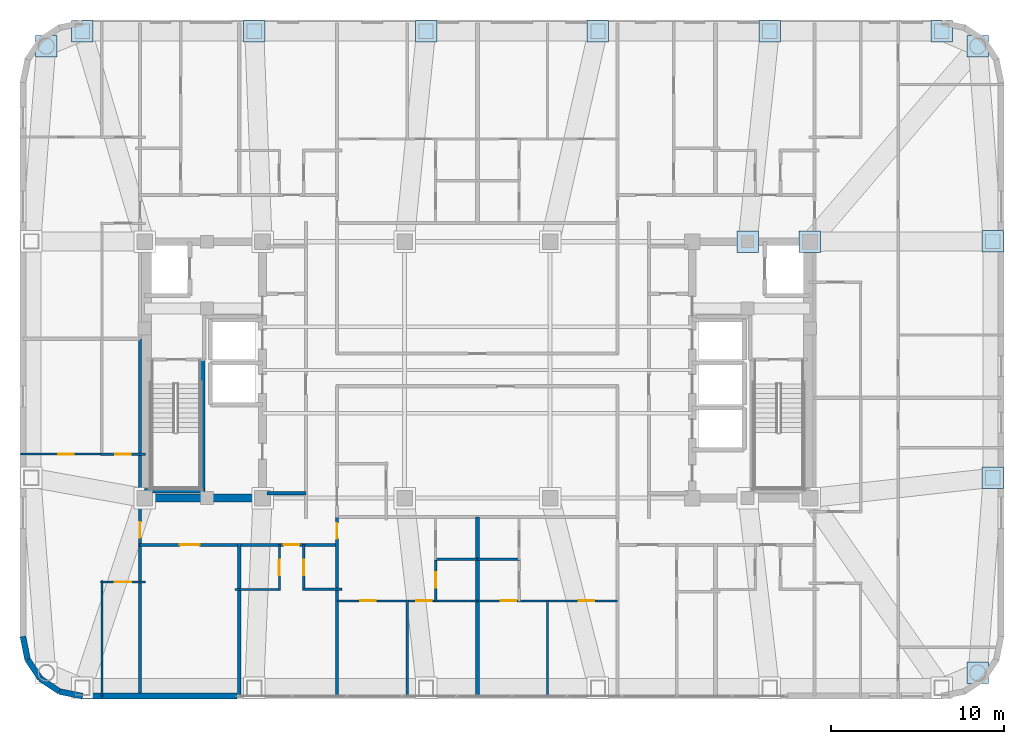
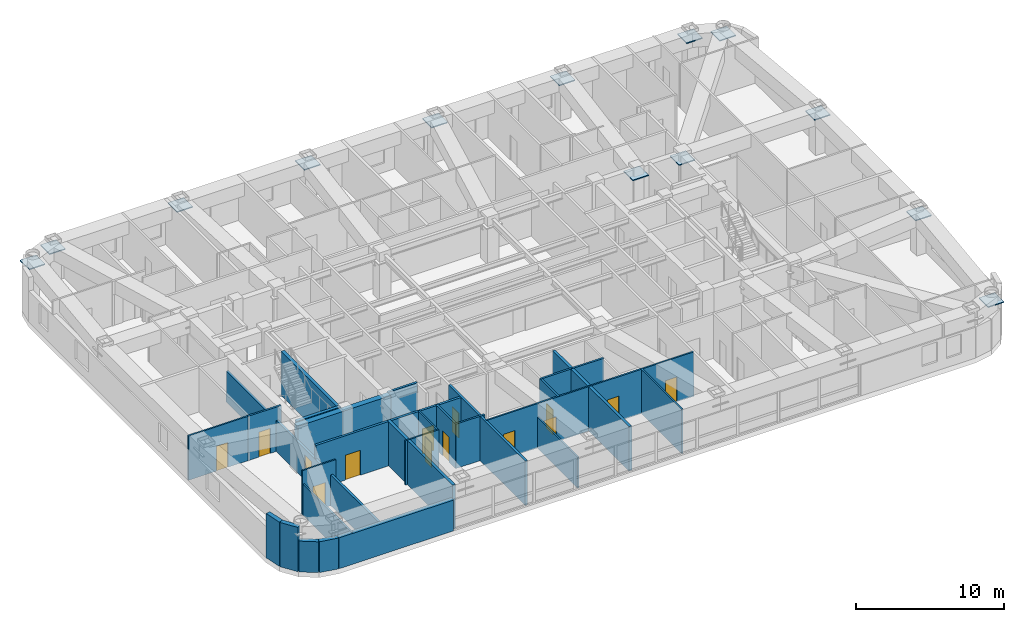
# One storey, part 8 of 16: 29 walls, 14 doors, 13 plates, 14 openings.
"""IFC4 building model written with IfcOpenShell, lengths in metres."""

from ifc_helpers import new_model, si_unit, direction, frame, frame_2d, origin, origin_2d, place, context, subcontext, project, spatial, rectangle, extrude, material, layer, layer_set, type_object, element, fill, save


model = new_model("IFC4")

# Units and contexts
model_context = context("Model", 3, precision=1e-05, world=origin(), true_north=direction((0.0, 1.0)))
body_context = subcontext(model_context, "Body", "Model", "MODEL_VIEW")
ifc_project = project(units=[si_unit("LENGTHUNIT", "METRE"), si_unit("AREAUNIT", "SQUARE_METRE"), si_unit("VOLUMEUNIT", "CUBIC_METRE"), si_unit("PLANEANGLEUNIT", "RADIAN"), si_unit("MASSUNIT", "GRAM", prefix="KILO")], contexts=[model_context])

# Site, building, storey
site_placement = place(None, origin())
site = spatial("IfcSite", under=ifc_project, at=site_placement, CompositionType="ELEMENT")
building_placement = place(site_placement, origin())
building = spatial("IfcBuilding", under=site, at=building_placement, Name="Voryun Gate Residences", CompositionType="ELEMENT")
storey_placement = place(building_placement, frame((0.0, 0.0, 200.199951171875)))
storey = spatial("IfcBuildingStorey", under=building, at=storey_placement, Name="L49", CompositionType="ELEMENT", Elevation=200.199951171875)

# Plates
ifc_material_1 = material(Name="Steel SM355", Category="steel")
ifc_layer_1 = layer(ifc_material_1, 0.02490234375, Name="PLT_END_CAP_25")
ifc_layer_set_1 = layer_set([ifc_layer_1], Name="Steel SM355")
plate_type = type_object("IfcPlateType", Name="PLT_END_CAP_25", PredefinedType="USERDEFINED", material=ifc_layer_set_1)
for number, where, z_axis, x_axis, name in (
    (1, (28.885986328125, -17.486083984375, 3.06005859375), (0.0, 0.0, 1.0), (1.0, 0.0, 0.0), "L49 Hollow Member End-Cap Plate EC-653"),
    (2, (29.75, -6.221923828125, 3.06005859375), (0.0, 0.0, 1.0), (1.0, 0.0, 0.0), "L49 Hollow Member End-Cap Plate EC-654"),
    (3, (29.75, 7.422119140625, 3.06005859375), (0.0, 0.0, 1.0), (1.0, 0.0, 0.0), "L49 Hollow Member End-Cap Plate EC-655"),
    (4, (28.885986328125, 18.68603515625, 3.06005859375), (0.0, 0.0, 1.0), (1.0, 0.0, 0.0), "L49 Hollow Member End-Cap Plate EC-656"),
    (5, (26.800048828125, 19.550048828125, 3.06005859375), (0.0, 0.0, 1.0), (1.0, 0.0, 0.0), "L49 Hollow Member End-Cap Plate EC-657"),
    (6, (16.8798828125, 19.550048828125, 3.06005859375), (0.0, 0.0, 1.0), (1.0, 0.0, 0.0), "L49 Hollow Member End-Cap Plate EC-658"),
    (7, (6.9599609375, 19.550048828125, 3.06005859375), (0.0, 0.0, 1.0), (1.0, 0.0, 0.0), "L49 Hollow Member End-Cap Plate EC-659"),
    (8, (-2.9599609375, 19.550048828125, 3.06005859375), (0.0, 0.0, 1.0), (1.0, 0.0, 0.0), "L49 Hollow Member End-Cap Plate EC-660"),
    (9, (-12.8798828125, 19.550048828125, 3.06005859375), (0.0, 0.0, 1.0), (1.0, 0.0, 0.0), "L49 Hollow Member End-Cap Plate EC-661"),
    (10, (-22.800048828125, 19.550048828125, 3.06005859375), (0.0, 0.0, 1.0), (1.0, 0.0, 0.0), "L49 Hollow Member End-Cap Plate EC-662"),
    (11, (-24.885986328125, 18.68603515625, 3.06005859375), (0.0, 0.0, 1.0), (1.0, 0.0, 0.0), "L49 Hollow Member End-Cap Plate EC-663"),
    (12, (19.199951171875, 7.39990234375, 3.06005859375), (0.0, 0.0, 1.0), (1.0, 0.0, 0.0), "L49 Hollow Member End-Cap Plate EC-673"),
    (13, (15.60009765625, 7.39990234375, 3.06005859375), (0.0, 0.0, 1.0), (1.0, 0.0, 0.0), "L49 Hollow Member End-Cap Plate EC-674"),
):
    element("IfcPlate", number, at=place(storey_placement, frame(where, z_axis=z_axis, x_axis=x_axis)), inside=storey, type_object=plate_type, Name=name, ObjectType="BASE_PLATE", PredefinedType="USERDEFINED", context=body_context, shape_type="SweptSolid", body=[
        extrude(rectangle(XDim=1.239990234375, YDim=1.239990234375, at=origin_2d()), origin(), (0.0, 0.0, 1.0), 0.080078125),
    ])

# Walls
ifc_material_2 = material(Name="Concrete C50/60", Category="concrete")
ifc_layer_2 = layer(ifc_material_2, 0.449951171875, Name="CW_CORE_450")
ifc_layer_set_2 = layer_set([ifc_layer_2], Name="Concrete C50/60")
wall_type_1 = type_object("IfcWallType", Name="CW_CORE_450", PredefinedType="SHEAR", material=ifc_layer_set_2)
wall_1_placement = place(storey_placement, frame((-19.425048828125, -7.39990234375, 0.0), z_axis=(0.0, 0.0, 1.0), x_axis=(1.0, 0.0, 0.0)))
element("IfcWall", 14, at=wall_1_placement, inside=storey, type_object=wall_type_1, Name="L49 Core shear wall CW-L49-WS", PredefinedType="SHEAR", context=body_context, shape_type="SweptSolid", body=[
    extrude(rectangle(XDim=7.25, YDim=0.449951171875, at=frame_2d((3.625, 0.0))), origin(), (0.0, 0.0, 1.0), 3.650146484375),
])
ifc_material_3 = material(Name="Gypsum acoustic fireboard")
ifc_layer_3 = layer(ifc_material_3, 0.179931640625, Name="W_CORR_RATED_180")
ifc_layer_set_3 = layer_set([ifc_layer_3], Name="Gypsum acoustic fireboard")
wall_type_2 = type_object("IfcWallType", Name="W_CORR_RATED_180", PredefinedType="PARTITIONING", material=ifc_layer_set_3)
wall_2_placement = place(storey_placement, frame((-12.14990234375, -7.1201171875, 0.0), z_axis=(0.0, 0.0, 1.0), x_axis=(1.0, 0.0, 0.0)))
element("IfcWall", 15, at=wall_2_placement, inside=storey, type_object=wall_type_2, Name="Partition wall WP-L49-PLBS-W", PredefinedType="PARTITIONING", context=body_context, shape_type="SweptSolid", body=[
    extrude(rectangle(XDim=2.27001953125, YDim=0.179931640625, at=frame_2d((1.135009765625, 0.0))), origin(), (0.0, 0.0, 1.0), 3.650146484375),
])

# Wall, openings, doors
wall_3_placement = place(storey_placement, frame((-19.5, -10.10009765625, 0.0), z_axis=(0.0, 0.0, 1.0), x_axis=(1.0, 0.0, 0.0)))
wall_3 = element("IfcWall", 16, at=wall_3_placement, inside=storey, type_object=wall_type_2, Name="Partition wall WP-L49-SCORR-W", PredefinedType="PARTITIONING", context=body_context, shape_type="SweptSolid", body=[
    extrude(rectangle(XDim=11.419921875, YDim=0.179931640625, at=frame_2d((5.7099609375, 0.0))), origin(), (0.0, 0.0, 1.0), 3.650146484375),
])
opening_1_placement = place(wall_3_placement, frame((2.324462890625, 0.0, 0.0)))
opening_1 = element("IfcOpeningElement", 17, at=opening_1_placement, cuts=wall_3, Name="Opening D-UNIT-1", PredefinedType="OPENING", context=body_context, shape_type="SweptSolid", body=[
    extrude(rectangle(XDim=1.14990234375, YDim=2.050048828125, at=frame_2d((0.574951171875, 1.02490234375))), frame((0.0, 0.099853515625, 0.0), z_axis=(0.0, -1.0, 0.0), x_axis=(1.0, 0.0, 0.0)), (0.0, 0.0, 1.0), 0.199951171875),
])
opening_2_placement = place(wall_3_placement, frame((8.32275390625, 0.0, 0.0)))
opening_2 = element("IfcOpeningElement", 18, at=opening_2_placement, cuts=wall_3, Name="Opening D-INT-2", PredefinedType="OPENING", context=body_context, shape_type="SweptSolid", body=[
    extrude(rectangle(XDim=0.89990234375, YDim=2.050048828125, at=frame_2d((0.449951171875, 1.02490234375))), frame((0.0, 0.099853515625, 0.0), z_axis=(0.0, -1.0, 0.0), x_axis=(1.0, 0.0, 0.0)), (0.0, 0.0, 1.0), 0.199951171875),
])
ifc_material_4 = material(Name="Architectural oak veneer")
door_type_1 = type_object("IfcDoorType", Name="DR_INT_BATH_900", OperationType="NOTDEFINED", PredefinedType="DOOR", material=ifc_material_4)
door_1_placement = place(opening_2_placement, origin())
door_1 = element("IfcDoor", 19, at=door_1_placement, inside=storey, type_object=door_type_1, Name="Door DR-L49-SENT-2", OperationType="SINGLE_SWING_LEFT", OverallHeight=2.050048828125, OverallWidth=0.89990234375, PredefinedType="DOOR", context=body_context, shape_type="SweptSolid", body=[
    extrude(rectangle(XDim=0.89990234375, YDim=2.050048828125, at=frame_2d((0.449951171875, 1.02490234375))), frame((0.0, 0.02490234375, 0.0), z_axis=(0.0, -1.0, 0.0), x_axis=(1.0, 0.0, 0.0)), (0.0, 0.0, 1.0), 0.050048828125),
])
fill(opening_2, door_1)
ifc_material_5 = material(Name="Armoured timber-clad fire door", Category="wood")
door_type_2 = type_object("IfcDoorType", Name="DR_UNIT_ENTRY_1150", OperationType="NOTDEFINED", PredefinedType="DOOR", material=ifc_material_5)
door_2_placement = place(opening_1_placement, origin())
door_2 = element("IfcDoor", 20, at=door_2_placement, inside=storey, type_object=door_type_2, Name="Door DR-L49-SENT-1", OperationType="SINGLE_SWING_RIGHT", OverallHeight=2.050048828125, OverallWidth=1.14990234375, PredefinedType="DOOR", context=body_context, shape_type="SweptSolid", body=[
    extrude(rectangle(XDim=1.14990234375, YDim=2.050048828125, at=frame_2d((0.574951171875, 1.02490234375))), frame((0.0, 0.02490234375, 0.0), z_axis=(0.0, -1.0, 0.0), x_axis=(1.0, 0.0, 0.0)), (0.0, 0.0, 1.0), 0.050048828125),
])
fill(opening_1, door_2)

# Wall, opening, door
wall_4_placement = place(storey_placement, frame((-8.10009765625, -18.830078125, 0.0), z_axis=(0.0, 0.0, 1.0), x_axis=(0.0, 1.0, 0.0)))
wall_4 = element("IfcWall", 21, at=wall_4_placement, inside=storey, type_object=wall_type_2, Name="Partition wall WP-L49-SZV-1", PredefinedType="PARTITIONING", context=body_context, shape_type="SweptSolid", body=[
    extrude(rectangle(XDim=10.340087890625, YDim=0.179931640625, at=frame_2d((5.169921875, 0.0))), origin(), (0.0, 0.0, 1.0), 3.650146484375),
])
opening_3_placement = place(wall_4_placement, frame((9.089599609375, 0.0, 0.0)))
opening_3 = element("IfcOpeningElement", 22, at=opening_3_placement, cuts=wall_4, Name="Opening D-INT-2", PredefinedType="OPENING", context=body_context, shape_type="SweptSolid", body=[
    extrude(rectangle(XDim=0.89990234375, YDim=2.050048828125, at=frame_2d((0.449951171875, 1.02490234375))), frame((0.0, 0.099853515625, 0.0), z_axis=(0.0, -1.0, 0.0), x_axis=(1.0, 0.0, 0.0)), (0.0, 0.0, 1.0), 0.199951171875),
])
door_3_placement = place(opening_3_placement, origin())
door_3 = element("IfcDoor", 23, at=door_3_placement, inside=storey, type_object=door_type_1, Name="Door DR-L49-SZENT-1", OperationType="SINGLE_SWING_LEFT", OverallHeight=2.050048828125, OverallWidth=0.89990234375, PredefinedType="DOOR", context=body_context, shape_type="SweptSolid", body=[
    extrude(rectangle(XDim=0.89990234375, YDim=2.050048828125, at=frame_2d((0.449951171875, 1.02490234375))), frame((0.0, 0.02490234375, 0.0), z_axis=(0.0, -1.0, 0.0), x_axis=(1.0, 0.0, 0.0)), (0.0, 0.0, 1.0), 0.050048828125),
])
fill(opening_3, door_3)

wall_5_placement = place(storey_placement, frame((-19.469970703125, -18.830078125, 0.0), z_axis=(0.0, 0.0, 1.0), x_axis=(0.0, 1.0, 0.0)))
wall_5 = element("IfcWall", 24, at=wall_5_placement, inside=storey, type_object=wall_type_2, Name="Partition wall WP-L49-WCOR1", PredefinedType="PARTITIONING", context=body_context, shape_type="SweptSolid", body=[
    extrude(rectangle(XDim=20.630126953125, YDim=0.179931640625, at=frame_2d((10.31494140625, 0.0))), origin(), (0.0, 0.0, 1.0), 2.5400390625),
])
opening_4_placement = place(wall_5_placement, frame((9.149169921875, 0.0, 0.0)))
opening_4 = element("IfcOpeningElement", 25, at=opening_4_placement, cuts=wall_5, Name="Opening D-INT-2", PredefinedType="OPENING", context=body_context, shape_type="SweptSolid", body=[
    extrude(rectangle(XDim=0.89990234375, YDim=2.050048828125, at=frame_2d((0.449951171875, 1.02490234375))), frame((0.0, 0.099853515625, 0.0), z_axis=(0.0, -1.0, 0.0), x_axis=(1.0, 0.0, 0.0)), (0.0, 0.0, 1.0), 0.199951171875),
])
door_4_placement = place(opening_4_placement, origin())
door_4 = element("IfcDoor", 26, at=door_4_placement, inside=storey, type_object=door_type_1, Name="Door DR-L49-WE1", OperationType="SINGLE_SWING_LEFT", OverallHeight=2.050048828125, OverallWidth=0.89990234375, PredefinedType="DOOR", context=body_context, shape_type="SweptSolid", body=[
    extrude(rectangle(XDim=0.89990234375, YDim=2.050048828125, at=frame_2d((0.449951171875, 1.02490234375))), frame((0.0, 0.02490234375, 0.0), z_axis=(0.0, -1.0, 0.0), x_axis=(1.0, 0.0, 0.0)), (0.0, 0.0, 1.0), 0.050048828125),
])
fill(opening_4, door_4)

# Walls
ifc_material_6 = material(Name="Charcoal terracotta masonry", Category="masonry")
ifc_layer_4 = layer(ifc_material_6, 0.340087890625, Name="W_EXT_TERRACOTTA_340")
ifc_layer_set_4 = layer_set([ifc_layer_4], Name="Charcoal terracotta masonry")
wall_type_3 = type_object("IfcWallType", Name="W_EXT_TERRACOTTA_340", PredefinedType="ELEMENTEDWALL", material=ifc_layer_set_4)
wall_6_placement = place(storey_placement, frame((-13.861328125, -18.830078125, 0.0), z_axis=(0.0, 0.0, 1.0), x_axis=(-1.0, 0.0, 0.0)))
element("IfcWall", 27, at=wall_6_placement, inside=storey, type_object=wall_type_3, Name="Exterior wall WEXT-L49-01B", PredefinedType="ELEMENTEDWALL", context=body_context, shape_type="SweptSolid", body=[
    extrude(rectangle(XDim=8.921875, YDim=0.340087890625, at=frame_2d((4.4609375, 0.0))), origin(), (0.0, 0.0, 1.0), 2.5400390625),
])
wall_7_placement = place(storey_placement, frame((-22.783203125, -18.830078125, 0.0), z_axis=(0.0, 0.0, 1.0), x_axis=(-0.980788153188, 0.195075878998, 0.0)))
element("IfcWall", 28, at=wall_7_placement, inside=storey, type_object=wall_type_3, Name="Exterior wall WEXT-L49-02", PredefinedType="ELEMENTEDWALL", context=body_context, shape_type="SweptSolid", body=[
    extrude(rectangle(XDim=1.354248046875, YDim=0.340087890625, at=frame_2d((0.67724609375, 0.0))), origin(), (0.0, 0.0, 1.0), 2.5400390625),
])
wall_8_placement = place(storey_placement, frame((-24.111328125, -18.56591796875, 0.0), z_axis=(0.0, 0.0, 1.0), x_axis=(-0.831403586725, 0.555669034571, 0.0)))
element("IfcWall", 29, at=wall_8_placement, inside=storey, type_object=wall_type_3, Name="Exterior wall WEXT-L49-03", PredefinedType="ELEMENTEDWALL", context=body_context, shape_type="SweptSolid", body=[
    extrude(rectangle(XDim=1.3369140625, YDim=0.340087890625, at=frame_2d((0.66845703125, 0.0))), origin(), (0.0, 0.0, 1.0), 2.5400390625),
])
wall_9_placement = place(storey_placement, frame((-25.222900390625, -17.822998046875, 0.0), z_axis=(0.0, 0.0, 1.0), x_axis=(-0.555584683399, 0.831459956686, 0.0)))
element("IfcWall", 30, at=wall_9_placement, inside=storey, type_object=wall_type_3, Name="Exterior wall WEXT-L49-04", PredefinedType="ELEMENTEDWALL", context=body_context, shape_type="SweptSolid", body=[
    extrude(rectangle(XDim=1.337158203125, YDim=0.340087890625, at=frame_2d((0.66845703125, 0.0))), origin(), (0.0, 0.0, 1.0), 3.650146484375),
])
wall_10_placement = place(storey_placement, frame((-25.9658203125, -16.711181640625, 0.0), z_axis=(0.0, 0.0, 1.0), x_axis=(-0.195110379894, 0.98078129043, 0.0)))
element("IfcWall", 31, at=wall_10_placement, inside=storey, type_object=wall_type_3, Name="Exterior wall WEXT-L49-05", PredefinedType="ELEMENTEDWALL", context=body_context, shape_type="SweptSolid", body=[
    extrude(rectangle(XDim=1.35400390625, YDim=0.340087890625, at=frame_2d((0.677001953125, 0.0))), origin(), (0.0, 0.0, 1.0), 3.650146484375),
])
ifc_material_7 = material(Name="Concrete C40/50", Category="concrete")
ifc_layer_5 = layer(ifc_material_7, 0.219970703125, Name="W_PARTY_ACOUSTIC_220")
ifc_layer_set_5 = layer_set([ifc_layer_5], Name="Concrete C40/50")
wall_type_4 = type_object("IfcWallType", Name="W_PARTY_ACOUSTIC_220", PredefinedType="PARTITIONING", material=ifc_layer_set_5)
wall_11_placement = place(storey_placement, frame((-13.739990234375, -18.830078125, 0.0), z_axis=(0.0, 0.0, 1.0), x_axis=(0.0, 1.0, 0.0)))
element("IfcWall", 32, at=wall_11_placement, inside=storey, type_object=wall_type_4, Name="Partition wall WP-L49-SPTY-1", PredefinedType="PARTITIONING", context=body_context, shape_type="SweptSolid", body=[
    extrude(rectangle(XDim=8.81005859375, YDim=0.219970703125, at=frame_2d((4.405029296875, 0.0))), origin(), (0.0, 0.0, 1.0), 3.650146484375),
])
wall_12_placement = place(storey_placement, frame((0.0, -18.830078125, 0.0), z_axis=(0.0, 0.0, 1.0), x_axis=(0.0, 1.0, 0.0)))
element("IfcWall", 33, at=wall_12_placement, inside=storey, type_object=wall_type_4, Name="Partition wall WP-L49-SZMID", PredefinedType="PARTITIONING", context=body_context, shape_type="SweptSolid", body=[
    extrude(rectangle(XDim=10.340087890625, YDim=0.219970703125, at=frame_2d((5.169921875, 0.0))), origin(), (0.0, 0.0, 1.0), 3.650146484375),
])
ifc_material_8 = material(Name="Concrete C50/60", Category="concrete")
ifc_layer_6 = layer(ifc_material_8, 0.25, Name="W_SHAFT_RC250")
ifc_layer_set_6 = layer_set([ifc_layer_6], Name="Concrete C50/60")
wall_type_5 = type_object("IfcWallType", Name="W_SHAFT_RC250", PredefinedType="SOLIDWALL", material=ifc_layer_set_6)
wall_13_placement = place(storey_placement, frame((-15.860107421875, -7.0849609375, 0.0), z_axis=(0.0, 0.0, 1.0), x_axis=(0.0, 1.0, 0.0)))
element("IfcWall", 34, at=wall_13_placement, inside=storey, type_object=wall_type_5, Name="L49 Stair shaft structural wall W-STR", PredefinedType="SOLIDWALL", context=body_context, shape_type="SweptSolid", body=[
    extrude(rectangle(XDim=7.68505859375, YDim=0.25, at=frame_2d((3.842529296875, 0.0))), origin(), (0.0, 0.0, 1.0), 3.650146484375),
])
wall_14_placement = place(storey_placement, frame((-19.199951171875, -6.965087890625, 0.0), z_axis=(0.0, 0.0, 1.0), x_axis=(1.0, 0.0, 0.0)))
element("IfcWall", 35, at=wall_14_placement, inside=storey, type_object=wall_type_5, Name="L49 Stair shaft structural wall W-STS", PredefinedType="SOLIDWALL", context=body_context, shape_type="SweptSolid", body=[
    extrude(rectangle(XDim=3.4599609375, YDim=0.25, at=frame_2d((1.72998046875, 0.0))), origin(), (0.0, 0.0, 1.0), 3.650146484375),
])

# Wall, opening, door
ifc_material_9 = material(Name="Gypsum acoustic partition")
ifc_layer_7 = layer(ifc_material_9, 0.125, Name="W_UNIT_PART_125")
ifc_layer_set_7 = layer_set([ifc_layer_7], Name="Gypsum acoustic partition")
wall_type_6 = type_object("IfcWallType", Name="W_UNIT_PART_125", PredefinedType="PARTITIONING", material=ifc_layer_set_7)
wall_15_placement = place(storey_placement, frame((-11.429931640625, -12.72998046875, 0.0), z_axis=(0.0, 0.0, 1.0), x_axis=(0.0, 1.0, 0.0)))
wall_15 = element("IfcWall", 36, at=wall_15_placement, inside=storey, type_object=wall_type_6, Name="Partition wall WP-L49-S2-CVK", PredefinedType="PARTITIONING", context=body_context, shape_type="SweptSolid", body=[
    extrude(rectangle(XDim=2.64990234375, YDim=0.125, at=frame_2d((1.324951171875, 0.0))), origin(), (0.0, 0.0, 1.0), 3.650146484375),
])
opening_5_placement = place(wall_15_placement, frame((0.875, 0.0, 0.0)))
opening_5 = element("IfcOpeningElement", 37, at=opening_5_placement, cuts=wall_15, Name="Opening D-INT-2", PredefinedType="OPENING", context=body_context, shape_type="SweptSolid", body=[
    extrude(rectangle(XDim=0.89990234375, YDim=2.050048828125, at=frame_2d((0.449951171875, 1.02490234375))), frame((0.0, 0.072509765625, 0.0), z_axis=(0.0, -1.0, 0.0), x_axis=(1.0, 0.0, 0.0)), (0.0, 0.0, 1.0), 0.14501953125),
])
door_5_placement = place(opening_5_placement, origin())
door_5 = element("IfcDoor", 38, at=door_5_placement, inside=storey, type_object=door_type_1, Name="Door DR-L49-S2-DK", OperationType="SINGLE_SWING_LEFT", OverallHeight=2.050048828125, OverallWidth=0.89990234375, PredefinedType="DOOR", context=body_context, shape_type="SweptSolid", body=[
    extrude(rectangle(XDim=0.89990234375, YDim=2.050048828125, at=frame_2d((0.449951171875, 1.02490234375))), frame((0.0, 0.02490234375, 0.0), z_axis=(0.0, -1.0, 0.0), x_axis=(1.0, 0.0, 0.0)), (0.0, 0.0, 1.0), 0.050048828125),
])
fill(opening_5, door_5)

# Wall
wall_16_placement = place(storey_placement, frame((-14.0, -12.669921875, 0.0), z_axis=(0.0, 0.0, 1.0), x_axis=(1.0, 0.0, 0.0)))
element("IfcWall", 39, at=wall_16_placement, inside=storey, type_object=wall_type_6, Name="Partition wall WP-L49-S2-CHK", PredefinedType="PARTITIONING", context=body_context, shape_type="SweptSolid", body=[
    extrude(rectangle(XDim=2.6298828125, YDim=0.125, at=frame_2d((1.31494140625, 0.0))), origin(), (0.0, 0.0, 1.0), 3.650146484375),
])

# Wall, openings, doors
wall_17_placement = place(storey_placement, frame((-8.080078125, -13.330078125, 0.0), z_axis=(0.0, 0.0, 1.0), x_axis=(1.0, 0.0, 0.0)))
wall_17 = element("IfcWall", 40, at=wall_17_placement, inside=storey, type_object=wall_type_6, Name="Partition wall WP-L49-SC1-HZ", PredefinedType="PARTITIONING", context=body_context, shape_type="SweptSolid", body=[
    extrude(rectangle(XDim=8.06005859375, YDim=0.125, at=frame_2d((4.030029296875, 0.0))), origin(), (0.0, 0.0, 1.0), 3.650146484375),
])
opening_6_placement = place(wall_17_placement, frame((1.3232421875, 0.0, 0.0)))
opening_6 = element("IfcOpeningElement", 41, at=opening_6_placement, cuts=wall_17, Name="Opening D-INT-2", PredefinedType="OPENING", context=body_context, shape_type="SweptSolid", body=[
    extrude(rectangle(XDim=0.89990234375, YDim=2.050048828125, at=frame_2d((0.449951171875, 1.02490234375))), frame((0.0, 0.072509765625, 0.0), z_axis=(0.0, -1.0, 0.0), x_axis=(1.0, 0.0, 0.0)), (0.0, 0.0, 1.0), 0.14501953125),
])
opening_7_placement = place(wall_17_placement, frame((4.547119140625, 0.0, 0.0)))
opening_7 = element("IfcOpeningElement", 42, at=opening_7_placement, cuts=wall_17, Name="Opening D-INT-2", PredefinedType="OPENING", context=body_context, shape_type="SweptSolid", body=[
    extrude(rectangle(XDim=0.89990234375, YDim=2.050048828125, at=frame_2d((0.449951171875, 1.02490234375))), frame((0.0, 0.072509765625, 0.0), z_axis=(0.0, -1.0, 0.0), x_axis=(1.0, 0.0, 0.0)), (0.0, 0.0, 1.0), 0.14501953125),
])
door_6_placement = place(opening_6_placement, origin())
door_6 = element("IfcDoor", 43, at=door_6_placement, inside=storey, type_object=door_type_1, Name="Door DR-L49-SC1-DMB", OperationType="SINGLE_SWING_LEFT", OverallHeight=2.050048828125, OverallWidth=0.89990234375, PredefinedType="DOOR", context=body_context, shape_type="SweptSolid", body=[
    extrude(rectangle(XDim=0.89990234375, YDim=2.050048828125, at=frame_2d((0.449951171875, 1.02490234375))), frame((0.0, 0.02490234375, 0.0), z_axis=(0.0, -1.0, 0.0), x_axis=(1.0, 0.0, 0.0)), (0.0, 0.0, 1.0), 0.050048828125),
])
fill(opening_6, door_6)
door_7_placement = place(opening_7_placement, origin())
door_7 = element("IfcDoor", 44, at=door_7_placement, inside=storey, type_object=door_type_1, Name="Door DR-L49-SC1-DBD2", OperationType="SINGLE_SWING_RIGHT", OverallHeight=2.050048828125, OverallWidth=0.89990234375, PredefinedType="DOOR", context=body_context, shape_type="SweptSolid", body=[
    extrude(rectangle(XDim=0.89990234375, YDim=2.050048828125, at=frame_2d((0.449951171875, 1.02490234375))), frame((0.0, 0.02490234375, 0.0), z_axis=(0.0, -1.0, 0.0), x_axis=(1.0, 0.0, 0.0)), (0.0, 0.0, 1.0), 0.050048828125),
])
fill(opening_7, door_7)

# Wall
wall_18_placement = place(storey_placement, frame((-4.050048828125, -18.830078125, 0.0), z_axis=(0.0, 0.0, 1.0), x_axis=(0.0, 1.0, 0.0)))
element("IfcWall", 45, at=wall_18_placement, inside=storey, type_object=wall_type_6, Name="Partition wall WP-L49-SC1-VBD", PredefinedType="PARTITIONING", context=body_context, shape_type="SweptSolid", body=[
    extrude(rectangle(XDim=5.5400390625, YDim=0.125, at=frame_2d((2.77001953125, 0.0))), origin(), (0.0, 0.0, 1.0), 2.5400390625),
])

# Wall, openings, doors
wall_19_placement = place(storey_placement, frame((0.02001953125, -13.330078125, 0.0), z_axis=(0.0, 0.0, 1.0), x_axis=(1.0, 0.0, 0.0)))
wall_19 = element("IfcWall", 46, at=wall_19_placement, inside=storey, type_object=wall_type_6, Name="Partition wall WP-L49-SC2-HZ", PredefinedType="PARTITIONING", context=body_context, shape_type="SweptSolid", body=[
    extrude(rectangle(XDim=8.06005859375, YDim=0.125, at=frame_2d((4.030029296875, 0.0))), origin(), (0.0, 0.0, 1.0), 3.650146484375),
])
opening_8_placement = place(wall_19_placement, frame((1.3232421875, 0.0, 0.0)))
opening_8 = element("IfcOpeningElement", 47, at=opening_8_placement, cuts=wall_19, Name="Opening D-INT-2", PredefinedType="OPENING", context=body_context, shape_type="SweptSolid", body=[
    extrude(rectangle(XDim=0.89990234375, YDim=2.050048828125, at=frame_2d((0.449951171875, 1.02490234375))), frame((0.0, 0.072509765625, 0.0), z_axis=(0.0, -1.0, 0.0), x_axis=(1.0, 0.0, 0.0)), (0.0, 0.0, 1.0), 0.14501953125),
])
opening_9_placement = place(wall_19_placement, frame((5.8369140625, 0.0, 0.0)))
opening_9 = element("IfcOpeningElement", 48, at=opening_9_placement, cuts=wall_19, Name="Opening D-INT-2", PredefinedType="OPENING", context=body_context, shape_type="SweptSolid", body=[
    extrude(rectangle(XDim=0.89990234375, YDim=2.050048828125, at=frame_2d((0.449951171875, 1.02490234375))), frame((0.0, 0.072509765625, 0.0), z_axis=(0.0, -1.0, 0.0), x_axis=(1.0, 0.0, 0.0)), (0.0, 0.0, 1.0), 0.14501953125),
])
door_8_placement = place(opening_8_placement, origin())
door_8 = element("IfcDoor", 49, at=door_8_placement, inside=storey, type_object=door_type_1, Name="Door DR-L49-SC2-DMB", OperationType="SINGLE_SWING_LEFT", OverallHeight=2.050048828125, OverallWidth=0.89990234375, PredefinedType="DOOR", context=body_context, shape_type="SweptSolid", body=[
    extrude(rectangle(XDim=0.89990234375, YDim=2.050048828125, at=frame_2d((0.449951171875, 1.02490234375))), frame((0.0, 0.02490234375, 0.0), z_axis=(0.0, -1.0, 0.0), x_axis=(1.0, 0.0, 0.0)), (0.0, 0.0, 1.0), 0.050048828125),
])
fill(opening_8, door_8)
door_9_placement = place(opening_9_placement, origin())
door_9 = element("IfcDoor", 50, at=door_9_placement, inside=storey, type_object=door_type_1, Name="Door DR-L49-SC2-DBD2", OperationType="SINGLE_SWING_RIGHT", OverallHeight=2.050048828125, OverallWidth=0.89990234375, PredefinedType="DOOR", context=body_context, shape_type="SweptSolid", body=[
    extrude(rectangle(XDim=0.89990234375, YDim=2.050048828125, at=frame_2d((0.449951171875, 1.02490234375))), frame((0.0, 0.02490234375, 0.0), z_axis=(0.0, -1.0, 0.0), x_axis=(1.0, 0.0, 0.0)), (0.0, 0.0, 1.0), 0.050048828125),
])
fill(opening_9, door_9)

# Wall
wall_20_placement = place(storey_placement, frame((4.050048828125, -18.830078125, 0.0), z_axis=(0.0, 0.0, 1.0), x_axis=(0.0, 1.0, 0.0)))
element("IfcWall", 51, at=wall_20_placement, inside=storey, type_object=wall_type_6, Name="Partition wall WP-L49-SC2-VBD", PredefinedType="PARTITIONING", context=body_context, shape_type="SweptSolid", body=[
    extrude(rectangle(XDim=5.5400390625, YDim=0.125, at=frame_2d((2.77001953125, 0.0))), origin(), (0.0, 0.0, 1.0), 3.650146484375),
])

# Wall, opening, door
wall_21_placement = place(storey_placement, frame((-26.3798828125, -4.860107421875, 0.0), z_axis=(0.0, 0.0, 1.0), x_axis=(1.0, 0.0, 0.0)))
wall_21 = element("IfcWall", 52, at=wall_21_placement, inside=storey, type_object=wall_type_6, Name="Partition wall WP-L49-W1-OHZ", PredefinedType="PARTITIONING", context=body_context, shape_type="SweptSolid", body=[
    extrude(rectangle(XDim=4.769775390625, YDim=0.125, at=frame_2d((2.384765625, 0.0))), origin(), (0.0, 0.0, 1.0), 3.650146484375),
])
opening_10_placement = place(wall_21_placement, frame((2.173583984375, 0.0, 0.0)))
opening_10 = element("IfcOpeningElement", 53, at=opening_10_placement, cuts=wall_21, Name="Opening D-INT-2", PredefinedType="OPENING", context=body_context, shape_type="SweptSolid", body=[
    extrude(rectangle(XDim=0.89990234375, YDim=2.050048828125, at=frame_2d((0.449951171875, 1.02490234375))), frame((0.0, 0.072509765625, 0.0), z_axis=(0.0, -1.0, 0.0), x_axis=(1.0, 0.0, 0.0)), (0.0, 0.0, 1.0), 0.14501953125),
])
door_10_placement = place(opening_10_placement, origin())
door_10 = element("IfcDoor", 54, at=door_10_placement, inside=storey, type_object=door_type_1, Name="Door DR-L49-W1-DMB", OperationType="SINGLE_SWING_LEFT", OverallHeight=2.050048828125, OverallWidth=0.89990234375, PredefinedType="DOOR", context=body_context, shape_type="SweptSolid", body=[
    extrude(rectangle(XDim=0.89990234375, YDim=2.050048828125, at=frame_2d((0.449951171875, 1.02490234375))), frame((0.0, 0.02490234375, 0.0), z_axis=(0.0, -1.0, 0.0), x_axis=(1.0, 0.0, 0.0)), (0.0, 0.0, 1.0), 0.050048828125),
])
fill(opening_10, door_10)

wall_22_placement = place(storey_placement, frame((-21.75, -12.237060546875, 0.0), z_axis=(0.0, 0.0, 1.0), x_axis=(1.0, 0.0, 0.0)))
wall_22 = element("IfcWall", 55, at=wall_22_placement, inside=storey, type_object=wall_type_6, Name="Partition wall WP-L49-W1-IKA", PredefinedType="PARTITIONING", context=body_context, shape_type="SweptSolid", body=[
    extrude(rectangle(XDim=2.60009765625, YDim=0.125, at=frame_2d((1.300048828125, 0.0))), origin(), (0.0, 0.0, 1.0), 3.650146484375),
])
opening_11_placement = place(wall_22_placement, frame((0.824951171875, 0.0, 0.0)))
opening_11 = element("IfcOpeningElement", 56, at=opening_11_placement, cuts=wall_22, Name="Opening D-INT-1", PredefinedType="OPENING", context=body_context, shape_type="SweptSolid", body=[
    extrude(rectangle(XDim=0.949951171875, YDim=2.050048828125, at=frame_2d((0.47509765625, 1.02490234375))), frame((0.0, 0.072509765625, 0.0), z_axis=(0.0, -1.0, 0.0), x_axis=(1.0, 0.0, 0.0)), (0.0, 0.0, 1.0), 0.14501953125),
])
ifc_material_10 = material(Name="Architectural oak veneer")
door_type_3 = type_object("IfcDoorType", Name="DR_INT_ROOM_950", OperationType="NOTDEFINED", PredefinedType="DOOR", material=ifc_material_10)
door_11_placement = place(opening_11_placement, origin())
door_11 = element("IfcDoor", 57, at=door_11_placement, inside=storey, type_object=door_type_3, Name="Door DR-L49-W1-DK", OperationType="SINGLE_SWING_LEFT", OverallHeight=2.050048828125, OverallWidth=0.949951171875, PredefinedType="DOOR", context=body_context, shape_type="SweptSolid", body=[
    extrude(rectangle(XDim=0.949951171875, YDim=2.050048828125, at=frame_2d((0.47509765625, 1.02490234375))), frame((0.0, 0.02490234375, 0.0), z_axis=(0.0, -1.0, 0.0), x_axis=(1.0, 0.0, 0.0)), (0.0, 0.0, 1.0), 0.050048828125),
])
fill(opening_11, door_11)

# Wall
wall_23_placement = place(storey_placement, frame((-21.669921875, -18.876708984375, 0.0), z_axis=(0.0, 0.0, 1.0), x_axis=(0.0, 1.0, 0.0)))
element("IfcWall", 58, at=wall_23_placement, inside=storey, type_object=wall_type_6, Name="Partition wall WP-L49-W1-VTA", PredefinedType="PARTITIONING", context=body_context, shape_type="SweptSolid", body=[
    extrude(rectangle(XDim=6.7197265625, YDim=0.125, at=frame_2d((3.35986328125, 0.0))), origin(), (0.0, 0.0, 1.0), 2.5400390625),
])

# Wall, opening, door
ifc_material_11 = material(Name="Gypsum moisture-resistant partition")
ifc_layer_8 = layer(ifc_material_11, 0.14990234375, Name="W_WET_PLUMB_150")
ifc_layer_set_8 = layer_set([ifc_layer_8], Name="Gypsum moisture-resistant partition")
wall_type_7 = type_object("IfcWallType", Name="W_WET_PLUMB_150", PredefinedType="PLUMBINGWALL", material=ifc_layer_set_8)
wall_24_placement = place(storey_placement, frame((-10.02392578125, -12.72998046875, 0.0), z_axis=(0.0, 0.0, 1.0), x_axis=(0.0, 1.0, 0.0)))
wall_24 = element("IfcWall", 59, at=wall_24_placement, inside=storey, type_object=wall_type_7, Name="Partition wall WP-L49-S2-CVB", PredefinedType="PLUMBINGWALL", context=body_context, shape_type="SweptSolid", body=[
    extrude(rectangle(XDim=2.64990234375, YDim=0.14990234375, at=frame_2d((1.324951171875, 0.0))), origin(), (0.0, 0.0, 1.0), 3.650146484375),
])
opening_12_placement = place(wall_24_placement, frame((0.875, 0.0, 0.0)))
opening_12 = element("IfcOpeningElement", 60, at=opening_12_placement, cuts=wall_24, Name="Opening D-INT-2", PredefinedType="OPENING", context=body_context, shape_type="SweptSolid", body=[
    extrude(rectangle(XDim=0.89990234375, YDim=2.050048828125, at=frame_2d((0.449951171875, 1.02490234375))), frame((0.0, 0.0849609375, 0.0), z_axis=(0.0, -1.0, 0.0), x_axis=(1.0, 0.0, 0.0)), (0.0, 0.0, 1.0), 0.169921875),
])
door_12_placement = place(opening_12_placement, origin())
door_12 = element("IfcDoor", 61, at=door_12_placement, inside=storey, type_object=door_type_1, Name="Door DR-L49-S2-DB", OperationType="SINGLE_SWING_RIGHT", OverallHeight=2.050048828125, OverallWidth=0.89990234375, PredefinedType="DOOR", context=body_context, shape_type="SweptSolid", body=[
    extrude(rectangle(XDim=0.89990234375, YDim=2.050048828125, at=frame_2d((0.449951171875, 1.02490234375))), frame((0.0, 0.02490234375, 0.0), z_axis=(0.0, -1.0, 0.0), x_axis=(1.0, 0.0, 0.0)), (0.0, 0.0, 1.0), 0.050048828125),
])
fill(opening_12, door_12)

# Wall
wall_25_placement = place(storey_placement, frame((-10.083984375, -12.669921875, 0.0), z_axis=(0.0, 0.0, 1.0), x_axis=(1.0, 0.0, 0.0)))
element("IfcWall", 62, at=wall_25_placement, inside=storey, type_object=wall_type_7, Name="Partition wall WP-L49-S2-CHB", PredefinedType="PLUMBINGWALL", context=body_context, shape_type="SweptSolid", body=[
    extrude(rectangle(XDim=2.263916015625, YDim=0.14990234375, at=frame_2d((1.1318359375, 0.0))), origin(), (0.0, 0.0, 1.0), 3.650146484375),
])

# Wall, opening, door
wall_26_placement = place(storey_placement, frame((-2.409912109375, -13.3701171875, 0.0), z_axis=(0.0, 0.0, 1.0), x_axis=(0.0, 1.0, 0.0)))
wall_26 = element("IfcWall", 63, at=wall_26_placement, inside=storey, type_object=wall_type_7, Name="Partition wall WP-L49-SC1-VK2", PredefinedType="PLUMBINGWALL", context=body_context, shape_type="SweptSolid", body=[
    extrude(rectangle(XDim=2.47021484375, YDim=0.14990234375, at=frame_2d((1.235107421875, 0.0))), origin(), (0.0, 0.0, 1.0), 3.650146484375),
])
opening_13_placement = place(wall_26_placement, frame((0.784912109375, 0.0, 0.0)))
opening_13 = element("IfcOpeningElement", 64, at=opening_13_placement, cuts=wall_26, Name="Opening D-INT-2", PredefinedType="OPENING", context=body_context, shape_type="SweptSolid", body=[
    extrude(rectangle(XDim=0.89990234375, YDim=2.050048828125, at=frame_2d((0.449951171875, 1.02490234375))), frame((0.0, 0.0849609375, 0.0), z_axis=(0.0, -1.0, 0.0), x_axis=(1.0, 0.0, 0.0)), (0.0, 0.0, 1.0), 0.169921875),
])
door_13_placement = place(opening_13_placement, origin())
door_13 = element("IfcDoor", 65, at=door_13_placement, inside=storey, type_object=door_type_1, Name="Door DR-L49-SC1-DB", OperationType="SINGLE_SWING_RIGHT", OverallHeight=2.050048828125, OverallWidth=0.89990234375, PredefinedType="DOOR", context=body_context, shape_type="SweptSolid", body=[
    extrude(rectangle(XDim=0.89990234375, YDim=2.050048828125, at=frame_2d((0.449951171875, 1.02490234375))), frame((0.0, 0.02490234375, 0.0), z_axis=(0.0, -1.0, 0.0), x_axis=(1.0, 0.0, 0.0)), (0.0, 0.0, 1.0), 0.050048828125),
])
fill(opening_13, door_13)

# Walls
for number, where, z_axis, x_axis, name in (
    (66, (-2.449951171875, -10.929931640625, 0.0), (0.0, 0.0, 1.0), (1.0, 0.0, 0.0), "Partition wall WP-L49-SC1-HKB"),
    (67, (0.02001953125, -10.929931640625, 0.0), (0.0, 0.0, 1.0), (1.0, 0.0, 0.0), "Partition wall WP-L49-SC2-HKB"),
):
    element("IfcWall", number, at=place(storey_placement, frame(where, z_axis=z_axis, x_axis=x_axis)), inside=storey, type_object=wall_type_7, Name=name, PredefinedType="PLUMBINGWALL", context=body_context, shape_type="SweptSolid", body=[
        extrude(rectangle(XDim=2.429931640625, YDim=0.14990234375, at=frame_2d((1.21484375, 0.0))), origin(), (0.0, 0.0, 1.0), 3.650146484375),
    ])

# Wall, opening, door
wall_27_placement = place(storey_placement, frame((-21.75, -4.860107421875, 0.0), z_axis=(0.0, 0.0, 1.0), x_axis=(1.0, 0.0, 0.0)))
wall_27 = element("IfcWall", 68, at=wall_27_placement, inside=storey, type_object=wall_type_7, Name="Partition wall WP-L49-W1-IBB", PredefinedType="PLUMBINGWALL", context=body_context, shape_type="SweptSolid", body=[
    extrude(rectangle(XDim=2.60009765625, YDim=0.14990234375, at=frame_2d((1.300048828125, 0.0))), origin(), (0.0, 0.0, 1.0), 3.650146484375),
])
opening_14_placement = place(wall_27_placement, frame((0.85009765625, 0.0, 0.0)))
opening_14 = element("IfcOpeningElement", 69, at=opening_14_placement, cuts=wall_27, Name="Opening D-INT-2", PredefinedType="OPENING", context=body_context, shape_type="SweptSolid", body=[
    extrude(rectangle(XDim=0.89990234375, YDim=2.050048828125, at=frame_2d((0.449951171875, 1.02490234375))), frame((0.0, 0.0849609375, 0.0), z_axis=(0.0, -1.0, 0.0), x_axis=(1.0, 0.0, 0.0)), (0.0, 0.0, 1.0), 0.169921875),
])
door_14_placement = place(opening_14_placement, origin())
door_14 = element("IfcDoor", 70, at=door_14_placement, inside=storey, type_object=door_type_1, Name="Door DR-L49-W1-DB", OperationType="SINGLE_SWING_RIGHT", OverallHeight=2.050048828125, OverallWidth=0.89990234375, PredefinedType="DOOR", context=body_context, shape_type="SweptSolid", body=[
    extrude(rectangle(XDim=0.89990234375, YDim=2.050048828125, at=frame_2d((0.449951171875, 1.02490234375))), frame((0.0, 0.02490234375, 0.0), z_axis=(0.0, -1.0, 0.0), x_axis=(1.0, 0.0, 0.0)), (0.0, 0.0, 1.0), 0.050048828125),
])
fill(opening_14, door_14)

save(model, "model.ifc")
